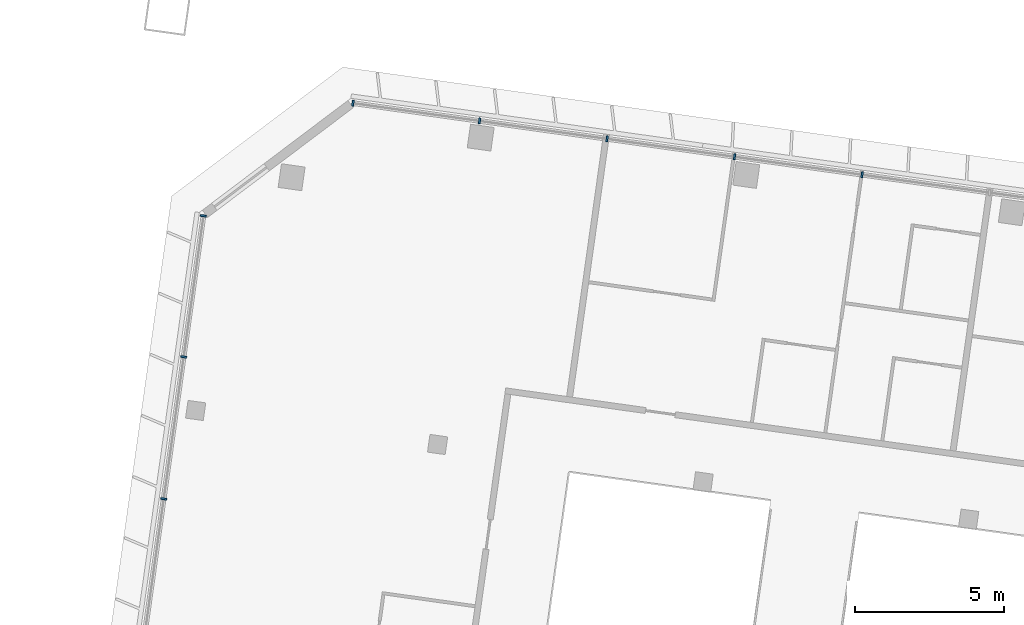
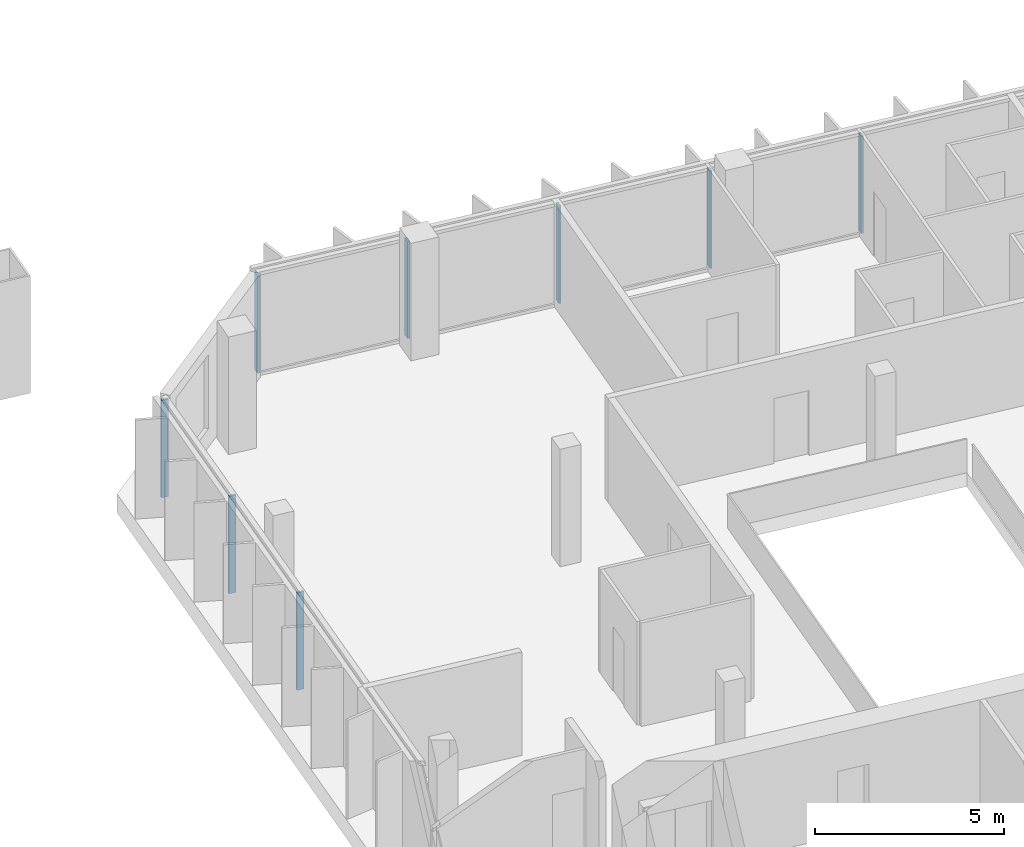
# One storey, part 4 of 23: 8 members, 2 elements without a shape of their own.
"""IFC4 building model written with IfcOpenShell, lengths in metres."""

from ifc_helpers import new_model, si_unit, direction, frame, origin, origin_2d, place, context, subcontext, project, spatial, rectangle, extrude, material, material_profile, profile_set, type_object, element, aggregate, save


model = new_model("IFC4")

# Units and contexts
model_context = context("Model", 3, precision=1e-05, world=origin(), true_north=direction((0.0, 1.0)))
body_context = subcontext(model_context, "Body", "Model", "MODEL_VIEW")
ifc_project = project(units=[si_unit("LENGTHUNIT", "METRE"), si_unit("AREAUNIT", "SQUARE_METRE"), si_unit("VOLUMEUNIT", "CUBIC_METRE"), si_unit("PLANEANGLEUNIT", "RADIAN"), si_unit("MASSUNIT", "GRAM", prefix="KILO")], contexts=[model_context])

# Site, building, storey
site_placement = place(None, origin())
site = spatial("IfcSite", under=ifc_project, at=site_placement, CompositionType="ELEMENT")
building_placement = place(site_placement, origin())
building = spatial("IfcBuilding", under=site, at=building_placement, Name="Mirante Cascada Hotel Towers", CompositionType="ELEMENT")
storey_placement = place(building_placement, frame((0.0, 0.0, 199.2)))
storey = spatial("IfcBuildingStorey", under=building, at=storey_placement, Name="L47", CompositionType="ELEMENT", Elevation=199.2)

# Curtain wall, members
ifc_material_1 = material(Name="Aluminium mullion and transom frame with clear laminated glass", Category="aluminium")
curtain_wall_type_1 = type_object("IfcCurtainWallType", Name="Ribbon curtain wall ECW1", PredefinedType="NOTDEFINED", material=ifc_material_1)
curtain_wall_1_placement = place(storey_placement, origin())
curtain_wall_1 = element("IfcCurtainWall", 1, at=curtain_wall_1_placement, inside=storey, type_object=curtain_wall_type_1, Name="Front ribbon wall T1 L47", PredefinedType="NOTDEFINED")
ifc_material_2 = material(Name="Anodised aluminium extrusion", Category="aluminium")
ifc_material_profile_1 = material_profile(ifc_material_2, rectangle(XDim=0.2, YDim=0.065, at=origin_2d()), Name="ECW1 MULLION 65x200")
ifc_profile_set_1 = profile_set([ifc_material_profile_1], Name="Anodised aluminium extrusion")
member_type_1 = type_object("IfcMemberType", Name="ECW1 mullion 65x200", PredefinedType="MULLION", material=ifc_profile_set_1)
member_1_placement = place(storey_placement, frame((-76.3011, 23.5425, 0.1), z_axis=(0.0, 0.0, 1.0), x_axis=(0.1391731, 0.9902681, 0.0)))
member_1 = element("IfcMember", 2, at=member_1_placement, type_object=member_type_1, Name="ECW1 mullion 1", PredefinedType="MULLION", context=body_context, shape_type="SweptSolid", body=[
    extrude(rectangle(XDim=0.2, YDim=0.065, at=origin_2d()), origin(), (0.0, 0.0, 1.0), 3.15),
])
member_2_placement = place(storey_placement, frame((-72.0542, 22.9456, 0.1), z_axis=(0.0, 0.0, 1.0), x_axis=(0.1391731, 0.9902681, 0.0)))
member_2 = element("IfcMember", 3, at=member_2_placement, type_object=member_type_1, Name="ECW1 mullion 2", PredefinedType="MULLION", context=body_context, shape_type="SweptSolid", body=[
    extrude(rectangle(XDim=0.2, YDim=0.065, at=origin_2d()), origin(), (0.0, 0.0, 1.0), 3.15),
])
member_3_placement = place(storey_placement, frame((-67.775, 22.3442, 0.1), z_axis=(0.0, 0.0, 1.0), x_axis=(0.1391731, 0.9902681, 0.0)))
member_3 = element("IfcMember", 4, at=member_3_placement, type_object=member_type_1, Name="ECW1 mullion 3", PredefinedType="MULLION", context=body_context, shape_type="SweptSolid", body=[
    extrude(rectangle(XDim=0.2, YDim=0.065, at=origin_2d()), origin(), (0.0, 0.0, 1.0), 3.15),
])
member_4_placement = place(storey_placement, frame((-63.4959, 21.7428, 0.1), z_axis=(0.0, 0.0, 1.0), x_axis=(0.1391731, 0.9902681, 0.0)))
member_4 = element("IfcMember", 5, at=member_4_placement, type_object=member_type_1, Name="ECW1 mullion 4", PredefinedType="MULLION", context=body_context, shape_type="SweptSolid", body=[
    extrude(rectangle(XDim=0.2, YDim=0.065, at=origin_2d()), origin(), (0.0, 0.0, 1.0), 3.15),
])
member_5_placement = place(storey_placement, frame((-59.2168, 21.1414, 0.1), z_axis=(0.0, 0.0, 1.0), x_axis=(0.1391731, 0.9902681, 0.0)))
member_5 = element("IfcMember", 6, at=member_5_placement, type_object=member_type_1, Name="ECW1 mullion 5", PredefinedType="MULLION", context=body_context, shape_type="SweptSolid", body=[
    extrude(rectangle(XDim=0.2, YDim=0.065, at=origin_2d()), origin(), (0.0, 0.0, 1.0), 3.15),
])
aggregate(curtain_wall_1, [member_1, member_2, member_3, member_4, member_5])

ifc_material_3 = material(Name="Aluminium mullion and transom frame with clear laminated glass", Category="aluminium")
curtain_wall_type_2 = type_object("IfcCurtainWallType", Name="End ribbon curtain wall ECW2", PredefinedType="NOTDEFINED", material=ifc_material_3)
curtain_wall_2_placement = place(storey_placement, origin())
curtain_wall_2 = element("IfcCurtainWall", 7, at=curtain_wall_2_placement, inside=storey, type_object=curtain_wall_type_2, Name="Outer end wall T1 L47", PredefinedType="NOTDEFINED")
ifc_material_4 = material(Name="Anodised aluminium extrusion", Category="aluminium")
ifc_material_profile_2 = material_profile(ifc_material_4, rectangle(XDim=0.2, YDim=0.065, at=origin_2d()), Name="ECW2 MULLION 65x200")
ifc_profile_set_2 = profile_set([ifc_material_profile_2], Name="Anodised aluminium extrusion")
member_type_2 = type_object("IfcMemberType", Name="ECW2 mullion 65x200", PredefinedType="MULLION", material=ifc_profile_set_2)
member_6_placement = place(storey_placement, frame((-82.6561, 10.2603, 0.1), z_axis=(0.0, 0.0, 1.0), x_axis=(-0.9902681, 0.1391731, 0.0)))
member_6 = element("IfcMember", 8, at=member_6_placement, type_object=member_type_2, Name="ECW2 mullion 5", PredefinedType="MULLION", context=body_context, shape_type="SweptSolid", body=[
    extrude(rectangle(XDim=0.2, YDim=0.065, at=origin_2d()), origin(), (0.0, 0.0, 1.0), 3.15),
])
member_7_placement = place(storey_placement, frame((-81.9864, 15.026, 0.1), z_axis=(0.0, 0.0, 1.0), x_axis=(-0.9902681, 0.1391731, 0.0)))
member_7 = element("IfcMember", 9, at=member_7_placement, type_object=member_type_2, Name="ECW2 mullion 6", PredefinedType="MULLION", context=body_context, shape_type="SweptSolid", body=[
    extrude(rectangle(XDim=0.2, YDim=0.065, at=origin_2d()), origin(), (0.0, 0.0, 1.0), 3.15),
])
member_8_placement = place(storey_placement, frame((-81.3211, 19.7596, 0.1), z_axis=(0.0, 0.0, 1.0), x_axis=(-0.9902681, 0.1391731, 0.0)))
member_8 = element("IfcMember", 10, at=member_8_placement, type_object=member_type_2, Name="ECW2 mullion 7", PredefinedType="MULLION", context=body_context, shape_type="SweptSolid", body=[
    extrude(rectangle(XDim=0.2, YDim=0.065, at=origin_2d()), origin(), (0.0, 0.0, 1.0), 3.15),
])
aggregate(curtain_wall_2, [member_6, member_7, member_8])

save(model, "model.ifc")
